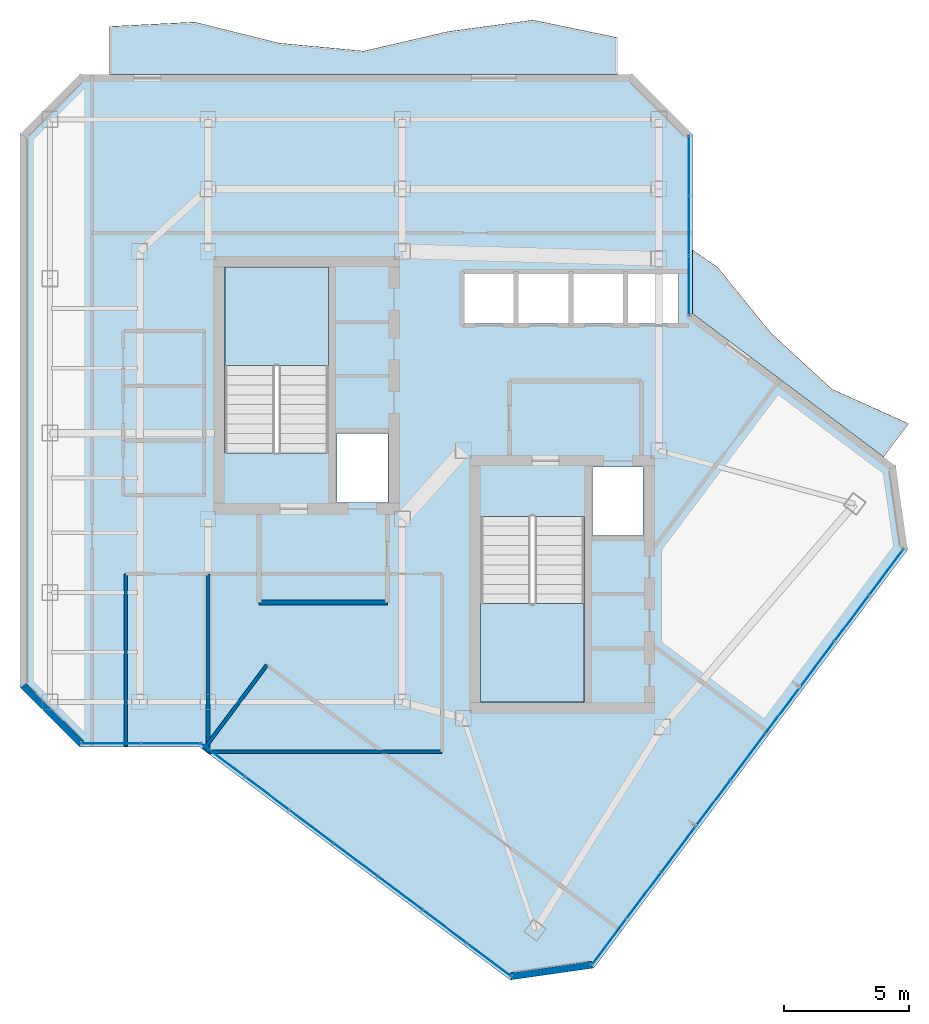
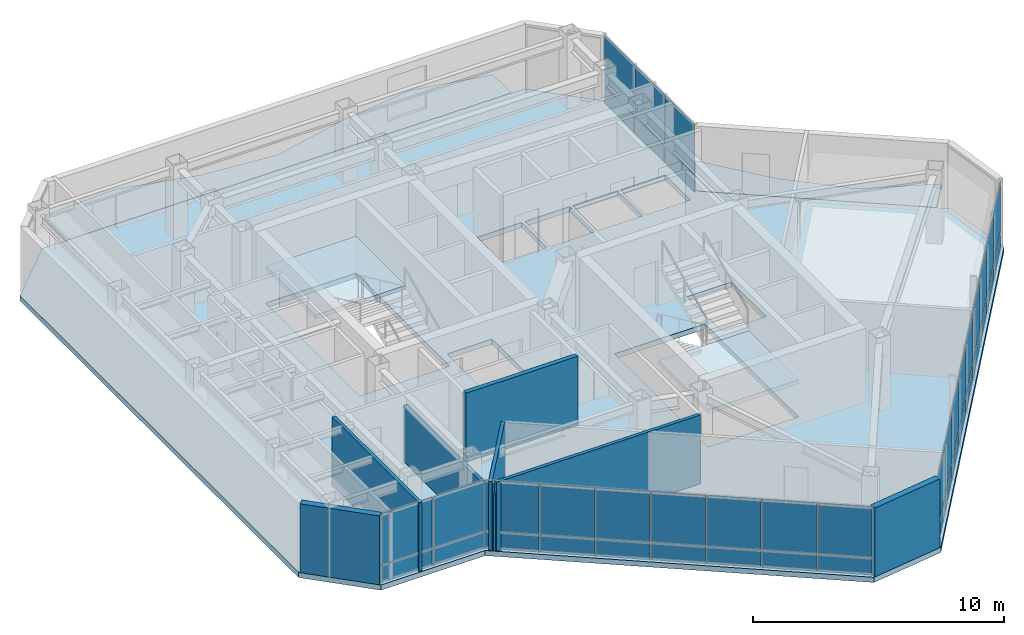
# One storey, part 13 of 18: 42 plates, 7 walls, 5 slabs, 6 elements without a shape of their own.
"""IFC4 building model written with IfcOpenShell, lengths in metres."""

from ifc_helpers import new_model, si_unit, direction, frame, frame_2d, origin, origin_2d, place, context, subcontext, project, spatial, polyline, rectangle, outline, extrude, material, layer, layer_set, type_object, element, aggregate, save


model = new_model("IFC4")

# Units and contexts
model_context = context("Model", 3, precision=1e-05, world=origin(), true_north=direction((0.0, 1.0)))
body_context = subcontext(model_context, "Body", "Model", "MODEL_VIEW")
ifc_project = project(units=[si_unit("LENGTHUNIT", "METRE"), si_unit("AREAUNIT", "SQUARE_METRE"), si_unit("VOLUMEUNIT", "CUBIC_METRE"), si_unit("PLANEANGLEUNIT", "RADIAN"), si_unit("MASSUNIT", "GRAM", prefix="KILO")], contexts=[model_context])

# Site, building, storey
site_placement = place(None, origin())
site = spatial("IfcSite", under=ifc_project, at=site_placement, CompositionType="ELEMENT")
building_placement = place(site_placement, origin())
building = spatial("IfcBuilding", under=site, at=building_placement, Name="Hatsunagi Terrace Concourse", CompositionType="ELEMENT")
storey_placement = place(building_placement, frame((0.0, 0.0, 250.35009765625)))
storey = spatial("IfcBuildingStorey", under=building, at=storey_placement, Name="L66", CompositionType="ELEMENT", Elevation=250.35009765625)

# Curtain wall, plates
ifc_material_1 = material(Name="Anodised Aluminium Alloy 6063-T5", Category="aluminium")
ifc_layer_1 = layer(ifc_material_1, 0.199951171875)
ifc_layer_set_1 = layer_set([ifc_layer_1], Name="OfficeZone2_CW04")
curtain_wall_type = type_object("IfcCurtainWallType", Name="OfficeZone2_CW04", PredefinedType="NOTDEFINED", material=ifc_layer_set_1)
curtain_wall_1_placement = place(storey_placement, origin())
curtain_wall_1 = element("IfcCurtainWall", 1, at=curtain_wall_1_placement, inside=storey, type_object=curtain_wall_type, Name="Unitised Curtain Wall CW-04 CW-L66-03", PredefinedType="NOTDEFINED")
ifc_material_2 = material(Name="Warm Terracotta Ceramic Spandrel Panel", Category="masonry")
ifc_layer_2 = layer(ifc_material_2, 0.031982421875)
ifc_layer_set_2 = layer_set([ifc_layer_2], Name="CurtainWallSpandrelPanel_32")
plate_type_1 = type_object("IfcPlateType", Name="CurtainWallSpandrelPanel_32", PredefinedType="SHEET", material=ifc_layer_set_2)
plate_1_placement = place(storey_placement, frame((52.797119140625, 30.429931640625, 0.02978515625), z_axis=(0.0, 0.0, 1.0), x_axis=(-0.599969314634, -0.800023013105, 0.0)))
plate_1 = element("IfcPlate", 2, at=plate_1_placement, type_object=plate_type_1, Name="Terracotta Spandrel Panel SPN-01", PredefinedType="SHEET", context=body_context, shape_type="SweptSolid", body=[
    extrude(rectangle(XDim=2.264892578125, YDim=0.031982421875, at=origin_2d()), origin(), (0.0, 0.0, 1.0), 0.7900390625),
])
plate_2_placement = place(storey_placement, frame((51.405029296875, 28.572998046875, 0.02978515625), z_axis=(0.0, 0.0, 1.0), x_axis=(-0.599969314634, -0.800023013105, 0.0)))
plate_2 = element("IfcPlate", 3, at=plate_2_placement, type_object=plate_type_1, Name="Terracotta Spandrel Panel SPN-01", PredefinedType="SHEET", context=body_context, shape_type="SweptSolid", body=[
    extrude(rectangle(XDim=2.264892578125, YDim=0.031982421875, at=origin_2d()), origin(), (0.0, 0.0, 1.0), 0.7900390625),
])
plate_3_placement = place(storey_placement, frame((50.011962890625, 26.717041015625, 0.02978515625), z_axis=(0.0, 0.0, 1.0), x_axis=(-0.599969314634, -0.800023013105, 0.0)))
plate_3 = element("IfcPlate", 4, at=plate_3_placement, type_object=plate_type_1, Name="Terracotta Spandrel Panel SPN-01", PredefinedType="SHEET", context=body_context, shape_type="SweptSolid", body=[
    extrude(rectangle(XDim=2.264892578125, YDim=0.031982421875, at=origin_2d()), origin(), (0.0, 0.0, 1.0), 0.7900390625),
])
plate_4_placement = place(storey_placement, frame((48.6201171875, 24.860107421875, 0.02978515625), z_axis=(0.0, 0.0, 1.0), x_axis=(-0.599969314634, -0.800023013105, 0.0)))
plate_4 = element("IfcPlate", 5, at=plate_4_placement, type_object=plate_type_1, Name="Terracotta Spandrel Panel SPN-01", PredefinedType="SHEET", context=body_context, shape_type="SweptSolid", body=[
    extrude(rectangle(XDim=2.264892578125, YDim=0.031982421875, at=origin_2d()), origin(), (0.0, 0.0, 1.0), 0.7900390625),
])
plate_5_placement = place(storey_placement, frame((47.22802734375, 23.00390625, 0.02978515625), z_axis=(0.0, 0.0, 1.0), x_axis=(-0.599969314634, -0.800023013105, 0.0)))
plate_5 = element("IfcPlate", 6, at=plate_5_placement, type_object=plate_type_1, Name="Terracotta Spandrel Panel SPN-01", PredefinedType="SHEET", context=body_context, shape_type="SweptSolid", body=[
    extrude(rectangle(XDim=2.264892578125, YDim=0.031982421875, at=origin_2d()), origin(), (0.0, 0.0, 1.0), 0.7900390625),
])
plate_6_placement = place(storey_placement, frame((45.8359375, 21.14794921875, 0.02978515625), z_axis=(0.0, 0.0, 1.0), x_axis=(-0.599969314634, -0.800023013105, 0.0)))
plate_6 = element("IfcPlate", 7, at=plate_6_placement, type_object=plate_type_1, Name="Terracotta Spandrel Panel SPN-01", PredefinedType="SHEET", context=body_context, shape_type="SweptSolid", body=[
    extrude(rectangle(XDim=2.264892578125, YDim=0.031982421875, at=origin_2d()), origin(), (0.0, 0.0, 1.0), 0.7900390625),
])
plate_7_placement = place(storey_placement, frame((44.444091796875, 19.291015625, 0.02978515625), z_axis=(0.0, 0.0, 1.0), x_axis=(-0.599969314634, -0.800023013105, 0.0)))
plate_7 = element("IfcPlate", 8, at=plate_7_placement, type_object=plate_type_1, Name="Terracotta Spandrel Panel SPN-01", PredefinedType="SHEET", context=body_context, shape_type="SweptSolid", body=[
    extrude(rectangle(XDim=2.264892578125, YDim=0.031982421875, at=origin_2d()), origin(), (0.0, 0.0, 1.0), 0.7900390625),
])
plate_8_placement = place(storey_placement, frame((43.051025390625, 17.43505859375, 0.02978515625), z_axis=(0.0, 0.0, 1.0), x_axis=(-0.599969314634, -0.800023013105, 0.0)))
plate_8 = element("IfcPlate", 9, at=plate_8_placement, type_object=plate_type_1, Name="Terracotta Spandrel Panel SPN-01", PredefinedType="SHEET", context=body_context, shape_type="SweptSolid", body=[
    extrude(rectangle(XDim=2.264892578125, YDim=0.031982421875, at=origin_2d()), origin(), (0.0, 0.0, 1.0), 0.7900390625),
])
plate_9_placement = place(storey_placement, frame((41.658935546875, 15.577880859375, 0.02978515625), z_axis=(0.0, 0.0, 1.0), x_axis=(-0.599969314634, -0.800023013105, 0.0)))
plate_9 = element("IfcPlate", 10, at=plate_9_placement, type_object=plate_type_1, Name="Terracotta Spandrel Panel SPN-01", PredefinedType="SHEET", context=body_context, shape_type="SweptSolid", body=[
    extrude(rectangle(XDim=2.264892578125, YDim=0.031982421875, at=origin_2d()), origin(), (0.0, 0.0, 1.0), 0.7900390625),
])

curtain_wall_2_placement = place(storey_placement, origin())
curtain_wall_2 = element("IfcCurtainWall", 11, at=curtain_wall_2_placement, inside=storey, type_object=curtain_wall_type, Name="Unitised Curtain Wall CW-04 CW-L66-05", PredefinedType="NOTDEFINED")
plate_10_placement = place(storey_placement, frame((36.826904296875, 14.85498046875, 0.02978515625), z_axis=(0.0, 0.0, 1.0), x_axis=(-0.800007305671, 0.599990258982, 0.0)))
plate_10 = element("IfcPlate", 12, at=plate_10_placement, type_object=plate_type_1, Name="Terracotta Spandrel Panel SPN-01", PredefinedType="SHEET", context=body_context, shape_type="SweptSolid", body=[
    extrude(rectangle(XDim=2.172119140625, YDim=0.031982421875, at=origin_2d()), origin(), (0.0, 0.0, 1.0), 0.7900390625),
])
plate_11_placement = place(storey_placement, frame((35.0458984375, 16.19091796875, 0.02978515625), z_axis=(0.0, 0.0, 1.0), x_axis=(-0.800007305671, 0.599990258982, 0.0)))
plate_11 = element("IfcPlate", 13, at=plate_11_placement, type_object=plate_type_1, Name="Terracotta Spandrel Panel SPN-01", PredefinedType="SHEET", context=body_context, shape_type="SweptSolid", body=[
    extrude(rectangle(XDim=2.172119140625, YDim=0.031982421875, at=origin_2d()), origin(), (0.0, 0.0, 1.0), 0.7900390625),
])
plate_12_placement = place(storey_placement, frame((33.263916015625, 17.527099609375, 0.02978515625), z_axis=(0.0, 0.0, 1.0), x_axis=(-0.800007305671, 0.599990258982, 0.0)))
plate_12 = element("IfcPlate", 14, at=plate_12_placement, type_object=plate_type_1, Name="Terracotta Spandrel Panel SPN-01", PredefinedType="SHEET", context=body_context, shape_type="SweptSolid", body=[
    extrude(rectangle(XDim=2.172119140625, YDim=0.031982421875, at=origin_2d()), origin(), (0.0, 0.0, 1.0), 0.7900390625),
])
plate_13_placement = place(storey_placement, frame((31.48291015625, 18.863037109375, 0.02978515625), z_axis=(0.0, 0.0, 1.0), x_axis=(-0.800007305671, 0.599990258982, 0.0)))
plate_13 = element("IfcPlate", 15, at=plate_13_placement, type_object=plate_type_1, Name="Terracotta Spandrel Panel SPN-01", PredefinedType="SHEET", context=body_context, shape_type="SweptSolid", body=[
    extrude(rectangle(XDim=2.172119140625, YDim=0.031982421875, at=origin_2d()), origin(), (0.0, 0.0, 1.0), 0.7900390625),
])
plate_14_placement = place(storey_placement, frame((29.700927734375, 20.199951171875, 0.02978515625), z_axis=(0.0, 0.0, 1.0), x_axis=(-0.800007305671, 0.599990258982, 0.0)))
plate_14 = element("IfcPlate", 16, at=plate_14_placement, type_object=plate_type_1, Name="Terracotta Spandrel Panel SPN-01", PredefinedType="SHEET", context=body_context, shape_type="SweptSolid", body=[
    extrude(rectangle(XDim=2.172119140625, YDim=0.031982421875, at=origin_2d()), origin(), (0.0, 0.0, 1.0), 0.7900390625),
])
plate_15_placement = place(storey_placement, frame((27.9189453125, 21.535888671875, 0.02978515625), z_axis=(0.0, 0.0, 1.0), x_axis=(-0.800007305671, 0.599990258982, 0.0)))
plate_15 = element("IfcPlate", 17, at=plate_15_placement, type_object=plate_type_1, Name="Terracotta Spandrel Panel SPN-01", PredefinedType="SHEET", context=body_context, shape_type="SweptSolid", body=[
    extrude(rectangle(XDim=2.172119140625, YDim=0.031982421875, at=origin_2d()), origin(), (0.0, 0.0, 1.0), 0.7900390625),
])
plate_16_placement = place(storey_placement, frame((26.137939453125, 22.8720703125, 0.02978515625), z_axis=(0.0, 0.0, 1.0), x_axis=(-0.800007305671, 0.599990258982, 0.0)))
plate_16 = element("IfcPlate", 18, at=plate_16_placement, type_object=plate_type_1, Name="Terracotta Spandrel Panel SPN-01", PredefinedType="SHEET", context=body_context, shape_type="SweptSolid", body=[
    extrude(rectangle(XDim=2.172119140625, YDim=0.031982421875, at=origin_2d()), origin(), (0.0, 0.0, 1.0), 0.7900390625),
])

curtain_wall_3_placement = place(storey_placement, origin())
curtain_wall_3 = element("IfcCurtainWall", 19, at=curtain_wall_3_placement, inside=storey, type_object=curtain_wall_type, Name="Unitised Curtain Wall CW-04 CW-L66-06", PredefinedType="NOTDEFINED")
plate_17_placement = place(storey_placement, frame((24.050048828125, 23.5400390625, 0.02978515625), z_axis=(0.0, 0.0, 1.0), x_axis=(-1.0, 0.0, 0.0)))
plate_17 = element("IfcPlate", 20, at=plate_17_placement, type_object=plate_type_1, Name="Terracotta Spandrel Panel SPN-01", PredefinedType="SHEET", context=body_context, shape_type="SweptSolid", body=[
    extrude(rectangle(XDim=2.340087890625, YDim=0.031982421875, at=origin_2d()), origin(), (0.0, 0.0, 1.0), 0.7900390625),
])
plate_18_placement = place(storey_placement, frame((21.655029296875, 23.5400390625, 0.02978515625), z_axis=(0.0, 0.0, 1.0), x_axis=(-1.0, 0.0, 0.0)))
plate_18 = element("IfcPlate", 21, at=plate_18_placement, type_object=plate_type_1, Name="Terracotta Spandrel Panel SPN-01", PredefinedType="SHEET", context=body_context, shape_type="SweptSolid", body=[
    extrude(rectangle(XDim=2.340087890625, YDim=0.031982421875, at=origin_2d()), origin(), (0.0, 0.0, 1.0), 0.7900390625),
])

curtain_wall_4_placement = place(storey_placement, origin())
curtain_wall_4 = element("IfcCurtainWall", 22, at=curtain_wall_4_placement, inside=storey, type_object=curtain_wall_type, Name="Unitised Curtain Wall CW-04 CW-L66-12", PredefinedType="NOTDEFINED")
plate_19_placement = place(storey_placement, frame((44.860107421875, 46.739990234375, 0.02978515625), z_axis=(0.0, 0.0, 1.0), x_axis=(0.0, -1.0, 0.0)))
plate_19 = element("IfcPlate", 23, at=plate_19_placement, type_object=plate_type_1, Name="Terracotta Spandrel Panel SPN-01", PredefinedType="SHEET", context=body_context, shape_type="SweptSolid", body=[
    extrude(rectangle(XDim=2.34912109375, YDim=0.031982421875, at=origin_2d()), origin(), (0.0, 0.0, 1.0), 0.7900390625),
])
plate_20_placement = place(storey_placement, frame((44.860107421875, 44.3359375, 0.02978515625), z_axis=(0.0, 0.0, 1.0), x_axis=(0.0, -1.0, 0.0)))
plate_20 = element("IfcPlate", 24, at=plate_20_placement, type_object=plate_type_1, Name="Terracotta Spandrel Panel SPN-01", PredefinedType="SHEET", context=body_context, shape_type="SweptSolid", body=[
    extrude(rectangle(XDim=2.34912109375, YDim=0.031982421875, at=origin_2d()), origin(), (0.0, 0.0, 1.0), 0.7900390625),
])
plate_21_placement = place(storey_placement, frame((44.860107421875, 41.931884765625, 0.02978515625), z_axis=(0.0, 0.0, 1.0), x_axis=(0.0, -1.0, 0.0)))
plate_21 = element("IfcPlate", 25, at=plate_21_placement, type_object=plate_type_1, Name="Terracotta Spandrel Panel SPN-01", PredefinedType="SHEET", context=body_context, shape_type="SweptSolid", body=[
    extrude(rectangle(XDim=2.34912109375, YDim=0.031982421875, at=origin_2d()), origin(), (0.0, 0.0, 1.0), 0.7900390625),
])

# Plate
ifc_material_3 = material(Name="Low-E Double Insulating Glass 28mm", Category="glass")
ifc_layer_3 = layer(ifc_material_3, 0.028076171875)
ifc_layer_set_3 = layer_set([ifc_layer_3], Name="CurtainWallVisionGlass_28")
plate_type_2 = type_object("IfcPlateType", Name="CurtainWallVisionGlass_28", PredefinedType="CURTAIN_PANEL", material=ifc_layer_set_3)
plate_22_placement = place(storey_placement, frame((52.797119140625, 30.429931640625, 0.8798828125), z_axis=(0.0, 0.0, 1.0), x_axis=(-0.599969314634, -0.800023013105, 0.0)))
plate_22 = element("IfcPlate", 26, at=plate_22_placement, type_object=plate_type_2, Name="Low-E Vision Glass Panel GLZ-01", PredefinedType="CURTAIN_PANEL", context=body_context, shape_type="SweptSolid", body=[
    extrude(rectangle(XDim=2.264892578125, YDim=0.028076171875, at=origin_2d()), origin(), (0.0, 0.0, 1.0), 2.43994140625),
])

plate_23_placement = place(storey_placement, frame((51.405029296875, 28.572998046875, 0.8798828125), z_axis=(0.0, 0.0, 1.0), x_axis=(-0.599969314634, -0.800023013105, 0.0)))
plate_23 = element("IfcPlate", 27, at=plate_23_placement, type_object=plate_type_2, Name="Low-E Vision Glass Panel GLZ-01", PredefinedType="CURTAIN_PANEL", context=body_context, shape_type="SweptSolid", body=[
    extrude(rectangle(XDim=2.264892578125, YDim=0.028076171875, at=origin_2d()), origin(), (0.0, 0.0, 1.0), 2.43994140625),
])

plate_24_placement = place(storey_placement, frame((50.011962890625, 26.717041015625, 0.8798828125), z_axis=(0.0, 0.0, 1.0), x_axis=(-0.599969314634, -0.800023013105, 0.0)))
plate_24 = element("IfcPlate", 28, at=plate_24_placement, type_object=plate_type_2, Name="Low-E Vision Glass Panel GLZ-01", PredefinedType="CURTAIN_PANEL", context=body_context, shape_type="SweptSolid", body=[
    extrude(rectangle(XDim=2.264892578125, YDim=0.028076171875, at=origin_2d()), origin(), (0.0, 0.0, 1.0), 2.43994140625),
])

plate_25_placement = place(storey_placement, frame((48.6201171875, 24.860107421875, 0.8798828125), z_axis=(0.0, 0.0, 1.0), x_axis=(-0.599969314634, -0.800023013105, 0.0)))
plate_25 = element("IfcPlate", 29, at=plate_25_placement, type_object=plate_type_2, Name="Low-E Vision Glass Panel GLZ-01", PredefinedType="CURTAIN_PANEL", context=body_context, shape_type="SweptSolid", body=[
    extrude(rectangle(XDim=2.264892578125, YDim=0.028076171875, at=origin_2d()), origin(), (0.0, 0.0, 1.0), 2.43994140625),
])

plate_26_placement = place(storey_placement, frame((47.22802734375, 23.00390625, 0.8798828125), z_axis=(0.0, 0.0, 1.0), x_axis=(-0.599969314634, -0.800023013105, 0.0)))
plate_26 = element("IfcPlate", 30, at=plate_26_placement, type_object=plate_type_2, Name="Low-E Vision Glass Panel GLZ-01", PredefinedType="CURTAIN_PANEL", context=body_context, shape_type="SweptSolid", body=[
    extrude(rectangle(XDim=2.264892578125, YDim=0.028076171875, at=origin_2d()), origin(), (0.0, 0.0, 1.0), 2.43994140625),
])

plate_27_placement = place(storey_placement, frame((45.8359375, 21.14794921875, 0.8798828125), z_axis=(0.0, 0.0, 1.0), x_axis=(-0.599969314634, -0.800023013105, 0.0)))
plate_27 = element("IfcPlate", 31, at=plate_27_placement, type_object=plate_type_2, Name="Low-E Vision Glass Panel GLZ-01", PredefinedType="CURTAIN_PANEL", context=body_context, shape_type="SweptSolid", body=[
    extrude(rectangle(XDim=2.264892578125, YDim=0.028076171875, at=origin_2d()), origin(), (0.0, 0.0, 1.0), 2.43994140625),
])

plate_28_placement = place(storey_placement, frame((44.444091796875, 19.291015625, 0.8798828125), z_axis=(0.0, 0.0, 1.0), x_axis=(-0.599969314634, -0.800023013105, 0.0)))
plate_28 = element("IfcPlate", 32, at=plate_28_placement, type_object=plate_type_2, Name="Low-E Vision Glass Panel GLZ-01", PredefinedType="CURTAIN_PANEL", context=body_context, shape_type="SweptSolid", body=[
    extrude(rectangle(XDim=2.264892578125, YDim=0.028076171875, at=origin_2d()), origin(), (0.0, 0.0, 1.0), 2.43994140625),
])

plate_29_placement = place(storey_placement, frame((43.051025390625, 17.43505859375, 0.8798828125), z_axis=(0.0, 0.0, 1.0), x_axis=(-0.599969314634, -0.800023013105, 0.0)))
plate_29 = element("IfcPlate", 33, at=plate_29_placement, type_object=plate_type_2, Name="Low-E Vision Glass Panel GLZ-01", PredefinedType="CURTAIN_PANEL", context=body_context, shape_type="SweptSolid", body=[
    extrude(rectangle(XDim=2.264892578125, YDim=0.028076171875, at=origin_2d()), origin(), (0.0, 0.0, 1.0), 2.43994140625),
])

plate_30_placement = place(storey_placement, frame((41.658935546875, 15.577880859375, 0.8798828125), z_axis=(0.0, 0.0, 1.0), x_axis=(-0.599969314634, -0.800023013105, 0.0)))
plate_30 = element("IfcPlate", 34, at=plate_30_placement, type_object=plate_type_2, Name="Low-E Vision Glass Panel GLZ-01", PredefinedType="CURTAIN_PANEL", context=body_context, shape_type="SweptSolid", body=[
    extrude(rectangle(XDim=2.264892578125, YDim=0.028076171875, at=origin_2d()), origin(), (0.0, 0.0, 1.0), 2.43994140625),
])

aggregate(curtain_wall_1, [plate_1, plate_22, plate_2, plate_23, plate_3, plate_24, plate_4, plate_25, plate_5, plate_26, plate_6, plate_27, plate_7, plate_28, plate_8, plate_29, plate_9, plate_30])

plate_31_placement = place(storey_placement, frame((36.826904296875, 14.85498046875, 0.8798828125), z_axis=(0.0, 0.0, 1.0), x_axis=(-0.800007305671, 0.599990258982, 0.0)))
plate_31 = element("IfcPlate", 35, at=plate_31_placement, type_object=plate_type_2, Name="Low-E Vision Glass Panel GLZ-01", PredefinedType="CURTAIN_PANEL", context=body_context, shape_type="SweptSolid", body=[
    extrude(rectangle(XDim=2.172119140625, YDim=0.028076171875, at=origin_2d()), origin(), (0.0, 0.0, 1.0), 2.43994140625),
])

plate_32_placement = place(storey_placement, frame((35.0458984375, 16.19091796875, 0.8798828125), z_axis=(0.0, 0.0, 1.0), x_axis=(-0.800007305671, 0.599990258982, 0.0)))
plate_32 = element("IfcPlate", 36, at=plate_32_placement, type_object=plate_type_2, Name="Low-E Vision Glass Panel GLZ-01", PredefinedType="CURTAIN_PANEL", context=body_context, shape_type="SweptSolid", body=[
    extrude(rectangle(XDim=2.172119140625, YDim=0.028076171875, at=origin_2d()), origin(), (0.0, 0.0, 1.0), 2.43994140625),
])

plate_33_placement = place(storey_placement, frame((33.263916015625, 17.527099609375, 0.8798828125), z_axis=(0.0, 0.0, 1.0), x_axis=(-0.800007305671, 0.599990258982, 0.0)))
plate_33 = element("IfcPlate", 37, at=plate_33_placement, type_object=plate_type_2, Name="Low-E Vision Glass Panel GLZ-01", PredefinedType="CURTAIN_PANEL", context=body_context, shape_type="SweptSolid", body=[
    extrude(rectangle(XDim=2.172119140625, YDim=0.028076171875, at=origin_2d()), origin(), (0.0, 0.0, 1.0), 2.43994140625),
])

plate_34_placement = place(storey_placement, frame((31.48291015625, 18.863037109375, 0.8798828125), z_axis=(0.0, 0.0, 1.0), x_axis=(-0.800007305671, 0.599990258982, 0.0)))
plate_34 = element("IfcPlate", 38, at=plate_34_placement, type_object=plate_type_2, Name="Low-E Vision Glass Panel GLZ-01", PredefinedType="CURTAIN_PANEL", context=body_context, shape_type="SweptSolid", body=[
    extrude(rectangle(XDim=2.172119140625, YDim=0.028076171875, at=origin_2d()), origin(), (0.0, 0.0, 1.0), 2.43994140625),
])

plate_35_placement = place(storey_placement, frame((29.700927734375, 20.199951171875, 0.8798828125), z_axis=(0.0, 0.0, 1.0), x_axis=(-0.800007305671, 0.599990258982, 0.0)))
plate_35 = element("IfcPlate", 39, at=plate_35_placement, type_object=plate_type_2, Name="Low-E Vision Glass Panel GLZ-01", PredefinedType="CURTAIN_PANEL", context=body_context, shape_type="SweptSolid", body=[
    extrude(rectangle(XDim=2.172119140625, YDim=0.028076171875, at=origin_2d()), origin(), (0.0, 0.0, 1.0), 2.43994140625),
])

plate_36_placement = place(storey_placement, frame((27.9189453125, 21.535888671875, 0.8798828125), z_axis=(0.0, 0.0, 1.0), x_axis=(-0.800007305671, 0.599990258982, 0.0)))
plate_36 = element("IfcPlate", 40, at=plate_36_placement, type_object=plate_type_2, Name="Low-E Vision Glass Panel GLZ-01", PredefinedType="CURTAIN_PANEL", context=body_context, shape_type="SweptSolid", body=[
    extrude(rectangle(XDim=2.172119140625, YDim=0.028076171875, at=origin_2d()), origin(), (0.0, 0.0, 1.0), 2.43994140625),
])

plate_37_placement = place(storey_placement, frame((26.137939453125, 22.8720703125, 0.8798828125), z_axis=(0.0, 0.0, 1.0), x_axis=(-0.800007305671, 0.599990258982, 0.0)))
plate_37 = element("IfcPlate", 41, at=plate_37_placement, type_object=plate_type_2, Name="Low-E Vision Glass Panel GLZ-01", PredefinedType="CURTAIN_PANEL", context=body_context, shape_type="SweptSolid", body=[
    extrude(rectangle(XDim=2.172119140625, YDim=0.028076171875, at=origin_2d()), origin(), (0.0, 0.0, 1.0), 2.43994140625),
])

aggregate(curtain_wall_2, [plate_10, plate_31, plate_11, plate_32, plate_12, plate_33, plate_13, plate_34, plate_14, plate_35, plate_15, plate_36, plate_16, plate_37])

plate_38_placement = place(storey_placement, frame((24.050048828125, 23.5400390625, 0.8798828125), z_axis=(0.0, 0.0, 1.0), x_axis=(-1.0, 0.0, 0.0)))
plate_38 = element("IfcPlate", 42, at=plate_38_placement, type_object=plate_type_2, Name="Low-E Vision Glass Panel GLZ-01", PredefinedType="CURTAIN_PANEL", context=body_context, shape_type="SweptSolid", body=[
    extrude(rectangle(XDim=2.340087890625, YDim=0.028076171875, at=origin_2d()), origin(), (0.0, 0.0, 1.0), 2.43994140625),
])

plate_39_placement = place(storey_placement, frame((21.655029296875, 23.5400390625, 0.8798828125), z_axis=(0.0, 0.0, 1.0), x_axis=(-1.0, 0.0, 0.0)))
plate_39 = element("IfcPlate", 43, at=plate_39_placement, type_object=plate_type_2, Name="Low-E Vision Glass Panel GLZ-01", PredefinedType="CURTAIN_PANEL", context=body_context, shape_type="SweptSolid", body=[
    extrude(rectangle(XDim=2.340087890625, YDim=0.028076171875, at=origin_2d()), origin(), (0.0, 0.0, 1.0), 2.43994140625),
])

aggregate(curtain_wall_3, [plate_17, plate_38, plate_18, plate_39])

plate_40_placement = place(storey_placement, frame((44.860107421875, 46.739990234375, 0.8798828125), z_axis=(0.0, 0.0, 1.0), x_axis=(0.0, -1.0, 0.0)))
plate_40 = element("IfcPlate", 44, at=plate_40_placement, type_object=plate_type_2, Name="Low-E Vision Glass Panel GLZ-01", PredefinedType="CURTAIN_PANEL", context=body_context, shape_type="SweptSolid", body=[
    extrude(rectangle(XDim=2.34912109375, YDim=0.028076171875, at=origin_2d()), origin(), (0.0, 0.0, 1.0), 2.43994140625),
])

plate_41_placement = place(storey_placement, frame((44.860107421875, 44.3359375, 0.8798828125), z_axis=(0.0, 0.0, 1.0), x_axis=(0.0, -1.0, 0.0)))
plate_41 = element("IfcPlate", 45, at=plate_41_placement, type_object=plate_type_2, Name="Low-E Vision Glass Panel GLZ-01", PredefinedType="CURTAIN_PANEL", context=body_context, shape_type="SweptSolid", body=[
    extrude(rectangle(XDim=2.34912109375, YDim=0.028076171875, at=origin_2d()), origin(), (0.0, 0.0, 1.0), 2.43994140625),
])

plate_42_placement = place(storey_placement, frame((44.860107421875, 41.931884765625, 0.8798828125), z_axis=(0.0, 0.0, 1.0), x_axis=(0.0, -1.0, 0.0)))
plate_42 = element("IfcPlate", 46, at=plate_42_placement, type_object=plate_type_2, Name="Low-E Vision Glass Panel GLZ-01", PredefinedType="CURTAIN_PANEL", context=body_context, shape_type="SweptSolid", body=[
    extrude(rectangle(XDim=2.34912109375, YDim=0.028076171875, at=origin_2d()), origin(), (0.0, 0.0, 1.0), 2.43994140625),
])

aggregate(curtain_wall_4, [plate_19, plate_40, plate_20, plate_41, plate_21, plate_42])

# Stair, slab
ifc_material_4 = material(Name="Concrete Fc42", Category="concrete")
stair_type = type_object("IfcStairType", Name="DoglegExitStair_Tower2000_20R_180", PredefinedType="HALF_TURN_STAIR", material=ifc_material_4)
stair_1_placement = place(storey_placement, origin())
stair_1 = element("IfcStair", 47, at=stair_1_placement, inside=storey, type_object=stair_type, Name="L66 Core A Protected Exit Stair ST-A", PredefinedType="HALF_TURN_STAIR")
ifc_material_5 = material(Name="Concrete Fc42", Category="concrete")
ifc_layer_4 = layer(ifc_material_5, 0.199951171875)
ifc_layer_set_4 = layer_set([ifc_layer_4], Name="DoglegStairLanding_Tower2000")
slab_type_1 = type_object("IfcSlabType", Name="DoglegStairLanding_Tower2000", PredefinedType="LANDING", material=ifc_layer_set_4)
slab_1_placement = place(storey_placement, frame((0.0, 0.0, 1.599853515625)))
slab_1 = element("IfcSlab", 48, at=slab_1_placement, type_object=slab_type_1, Name="ST-A landing 1", PredefinedType="LANDING", context=body_context, shape_type="SweptSolid", body=[
    extrude(outline(polyline([(30.3798828125, 38.7099609375), (30.3798828125, 42.659912109375), (26.22998046875, 42.659912109375), (26.22998046875, 38.7099609375), (30.3798828125, 38.7099609375)])), origin(), (0.0, 0.0, 1.0), 0.199951171875),
])
aggregate(stair_1, [slab_1])

stair_2_placement = place(storey_placement, origin())
stair_2 = element("IfcStair", 49, at=stair_2_placement, inside=storey, type_object=stair_type, Name="L66 Core B Protected Exit Stair ST-B", PredefinedType="HALF_TURN_STAIR")
slab_2_placement = place(storey_placement, frame((0.0, 0.0, 1.599853515625)))
slab_2 = element("IfcSlab", 50, at=slab_2_placement, type_object=slab_type_1, Name="ST-B landing 1", PredefinedType="LANDING", context=body_context, shape_type="SweptSolid", body=[
    extrude(outline(polyline([(36.5, 29.14990234375), (36.5, 25.199951171875), (40.64990234375, 25.199951171875), (40.64990234375, 29.14990234375), (36.5, 29.14990234375)])), origin(), (0.0, 0.0, 1.0), 0.199951171875),
])
aggregate(stair_2, [slab_2])

# Slabs
ifc_material_6 = material(Name="Concrete Fc42", Category="concrete")
ifc_layer_5 = layer(ifc_material_6, 0.199951171875)
ifc_layer_set_5 = layer_set([ifc_layer_5], Name="EngawaBalconySlab_Fc42_200")
slab_type_2 = type_object("IfcSlabType", Name="EngawaBalconySlab_Fc42_200", PredefinedType="FLOOR", material=ifc_layer_set_5)
slab_3_placement = place(storey_placement, frame((0.0, 0.0, -0.2001953125)))
element("IfcSlab", 51, at=slab_3_placement, inside=storey, type_object=slab_type_2, Name="Engawa Balcony Slab BAL-L66-BN", PredefinedType="FLOOR", context=body_context, shape_type="SweptSolid", body=[
    extrude(outline(polyline([(21.60009765625, 52.33203125), (21.60009765625, 50.39990234375), (42.0, 50.39990234375), (42.0, 51.882080078125), (38.60009765625, 52.587890625), (35.199951171875, 52.12890625), (31.800048828125, 51.343017578125), (28.39990234375, 51.6650390625), (25.0, 52.507080078125), (21.60009765625, 52.33203125)])), origin(), (0.0, 0.0, 1.0), 0.2001953125),
])
slab_4_placement = place(storey_placement, frame((0.0, 0.0, -0.2001953125)))
element("IfcSlab", 52, at=slab_4_placement, inside=storey, type_object=slab_type_2, Name="Engawa Balcony Slab BAL-L66-BSE", PredefinedType="FLOOR", context=body_context, shape_type="SweptSolid", body=[
    extrude(outline(polyline([(46.014892578125, 42.654052734375), (44.99609375, 43.364013671875), (44.99609375, 40.802978515625), (52.679931640625, 35.0400390625), (53.68408203125, 36.37890625), (50.60009765625, 37.76708984375), (48.158935546875, 40.011962890625), (46.014892578125, 42.654052734375)])), origin(), (0.0, 0.0, 1.0), 0.2001953125),
])
ifc_material_7 = material(Name="Concrete Fc42", Category="concrete")
ifc_layer_6 = layer(ifc_material_7, 0.25)
ifc_layer_set_6 = layer_set([ifc_layer_6], Name="OfficeCrownSlab_Fc42_250")
slab_type_3 = type_object("IfcSlabType", Name="OfficeCrownSlab_Fc42_250", PredefinedType="FLOOR", material=ifc_layer_set_6)
slab_5_placement = place(storey_placement, frame((0.0, 0.0, -0.25)))
element("IfcSlab", 53, at=slab_5_placement, inside=storey, type_object=slab_type_3, Name="Floor Slab SL-250 L66", PredefinedType="FLOOR", context=body_context, shape_type="SweptSolid", body=[
    extrude(outline(polyline([(45.0, 40.800048828125), (45.0, 48.0), (42.60009765625, 50.39990234375), (20.39990234375, 50.39990234375), (18.0, 48.0), (18.0, 25.800048828125), (20.39990234375, 23.39990234375), (25.199951171875, 23.39990234375), (37.679931640625, 14.0400390625), (41.0400390625, 14.52001953125), (53.639892578125, 31.320068359375), (53.159912109375, 34.679931640625), (45.0, 40.800048828125)]), holes=[polyline([(26.22998046875, 35.205078125), (30.3798828125, 35.205078125), (30.3798828125, 42.659912109375), (26.22998046875, 42.659912109375), (26.22998046875, 35.205078125)]), polyline([(36.5, 25.199951171875), (40.64990234375, 25.199951171875), (40.64990234375, 32.655029296875), (36.5, 32.655029296875), (36.5, 25.199951171875)]), polyline([(30.719970703125, 33.219970703125), (32.780029296875, 33.219970703125), (32.780029296875, 35.97998046875), (30.719970703125, 35.97998046875), (30.719970703125, 33.219970703125)]), polyline([(40.97998046875, 31.8798828125), (43.02001953125, 31.8798828125), (43.02001953125, 34.639892578125), (40.97998046875, 34.639892578125), (40.97998046875, 31.8798828125)]), polyline([(35.800048828125, 40.39990234375), (37.85009765625, 40.39990234375), (37.85009765625, 42.39990234375), (35.800048828125, 42.39990234375), (35.800048828125, 40.39990234375)]), polyline([(38.0, 40.39990234375), (40.050048828125, 40.39990234375), (40.050048828125, 42.39990234375), (38.0, 42.39990234375), (38.0, 40.39990234375)]), polyline([(40.199951171875, 40.39990234375), (42.25, 40.39990234375), (42.25, 42.39990234375), (40.199951171875, 42.39990234375), (40.199951171875, 40.39990234375)]), polyline([(42.39990234375, 40.39990234375), (44.449951171875, 40.39990234375), (44.449951171875, 42.39990234375), (42.39990234375, 42.39990234375), (42.39990234375, 40.39990234375)])]), origin(), (0.0, 0.0, 1.0), 0.25),
])

# Walls
ifc_material_8 = material(Name="Acoustic mineral board", Category="gypsum")
ifc_layer_7 = layer(ifc_material_8, 0.14990234375)
ifc_layer_set_7 = layer_set([ifc_layer_7], Name="PartitionWall_EI60_150")
wall_type_1 = type_object("IfcWallType", Name="PartitionWall_EI60_150", PredefinedType="PARTITIONING", material=ifc_layer_set_7)
wall_1_placement = place(storey_placement, frame((25.550048828125, 23.199951171875, 0.0), z_axis=(0.0, 0.0, 1.0), x_axis=(1.0, 0.0, 0.0)))
element("IfcWall", 54, at=wall_1_placement, inside=storey, type_object=wall_type_1, Name="Interior Partition IW-L66-027", PredefinedType="PARTITIONING", context=body_context, shape_type="SweptSolid", body=[
    extrude(rectangle(XDim=9.39990234375, YDim=0.14990234375, at=frame_2d((4.699951171875, 0.0))), origin(), (0.0, 0.0, 1.0), 3.349853515625),
])
wall_2_placement = place(storey_placement, frame((25.550048828125, 23.199951171875, 0.0), z_axis=(0.0, 0.0, 1.0), x_axis=(0.0, 1.0, 0.0)))
element("IfcWall", 55, at=wall_2_placement, inside=storey, type_object=wall_type_1, Name="Interior Partition IW-L66-029", PredefinedType="PARTITIONING", context=body_context, shape_type="SweptSolid", body=[
    extrude(rectangle(XDim=7.150146484375, YDim=0.14990234375, at=frame_2d((3.5751953125, 0.0))), origin(), (0.0, 0.0, 1.0), 2.7568359375),
])
wall_3_placement = place(storey_placement, frame((22.25, 23.43994140625, 0.0), z_axis=(0.0, 0.0, 1.0), x_axis=(0.0, 1.0, 0.0)))
element("IfcWall", 56, at=wall_3_placement, inside=storey, type_object=wall_type_1, Name="Interior Partition IW-L66-036", PredefinedType="PARTITIONING", context=body_context, shape_type="SweptSolid", body=[
    extrude(rectangle(XDim=6.91015625, YDim=0.14990234375, at=frame_2d((3.455078125, 0.0))), origin(), (0.0, 0.0, 1.0), 3.349853515625),
])
wall_4_placement = place(storey_placement, frame((25.384033203125, 23.31201171875, 0.0), z_axis=(0.0, 0.0, 1.0), x_axis=(0.599990721155, 0.80000695905, 0.0)))
element("IfcWall", 57, at=wall_4_placement, inside=storey, type_object=wall_type_1, Name="Interior Partition IW-L66-038", PredefinedType="PARTITIONING", context=body_context, shape_type="SweptSolid", body=[
    extrude(rectangle(XDim=4.2099609375, YDim=0.14990234375, at=frame_2d((2.10498046875, 0.0))), origin(), (0.0, 0.0, 1.0), 3.349853515625),
])
ifc_material_9 = material(Name="Acoustic mineral board", Category="gypsum")
ifc_layer_8 = layer(ifc_material_9, 0.199951171875)
ifc_layer_set_8 = layer_set([ifc_layer_8], Name="ShaftWall_EI120_200")
wall_type_2 = type_object("IfcWallType", Name="ShaftWall_EI120_200", PredefinedType="STANDARD", material=ifc_layer_set_8)
wall_5_placement = place(storey_placement, frame((27.60009765625, 29.199951171875, 0.0), z_axis=(0.0, 0.0, 1.0), x_axis=(1.0, 0.0, 0.0)))
element("IfcWall", 58, at=wall_5_placement, inside=storey, type_object=wall_type_2, Name="Interior Partition IW-L66-007", PredefinedType="STANDARD", context=body_context, shape_type="SweptSolid", body=[
    extrude(rectangle(XDim=5.14990234375, YDim=0.199951171875, at=frame_2d((2.574951171875, 0.0))), origin(), (0.0, 0.0, 1.0), 3.349853515625),
])
ifc_material_10 = material(Name="Autoclaved Lightweight Concrete and Terracotta Cladding", Category="masonry")
ifc_layer_9 = layer(ifc_material_10, 0.280029296875)
ifc_layer_set_9 = layer_set([ifc_layer_9], Name="TerracottaSpandrelWall_280")
wall_type_3 = type_object("IfcWallType", Name="TerracottaSpandrelWall_280", PredefinedType="STANDARD", material=ifc_layer_set_9)
wall_6_placement = place(storey_placement, frame((40.962890625, 14.64990234375, 0.0), z_axis=(0.0, 0.0, 1.0), x_axis=(-0.989977778067, -0.141223223777, 0.0)))
element("IfcWall", 59, at=wall_6_placement, inside=storey, type_object=wall_type_3, Name="Exterior Spandrel Wall EW-L66-04", PredefinedType="STANDARD", context=body_context, shape_type="SweptSolid", body=[
    extrude(rectangle(XDim=3.27783203125, YDim=0.280029296875, at=frame_2d((1.638916015625, 0.0))), origin(), (0.0, 0.0, 1.0), 3.349853515625),
])
wall_7_placement = place(storey_placement, frame((20.4580078125, 23.5400390625, 0.0), z_axis=(0.0, 0.0, 1.0), x_axis=(-0.707144017911, 0.707069542501, 0.0)))
element("IfcWall", 60, at=wall_7_placement, inside=storey, type_object=wall_type_3, Name="Exterior Spandrel Wall EW-L66-07", PredefinedType="STANDARD", context=body_context, shape_type="SweptSolid", body=[
    extrude(rectangle(XDim=3.278076171875, YDim=0.280029296875, at=frame_2d((1.63916015625, 0.0))), origin(), (0.0, 0.0, 1.0), 3.349853515625),
])

save(model, "model.ifc")
